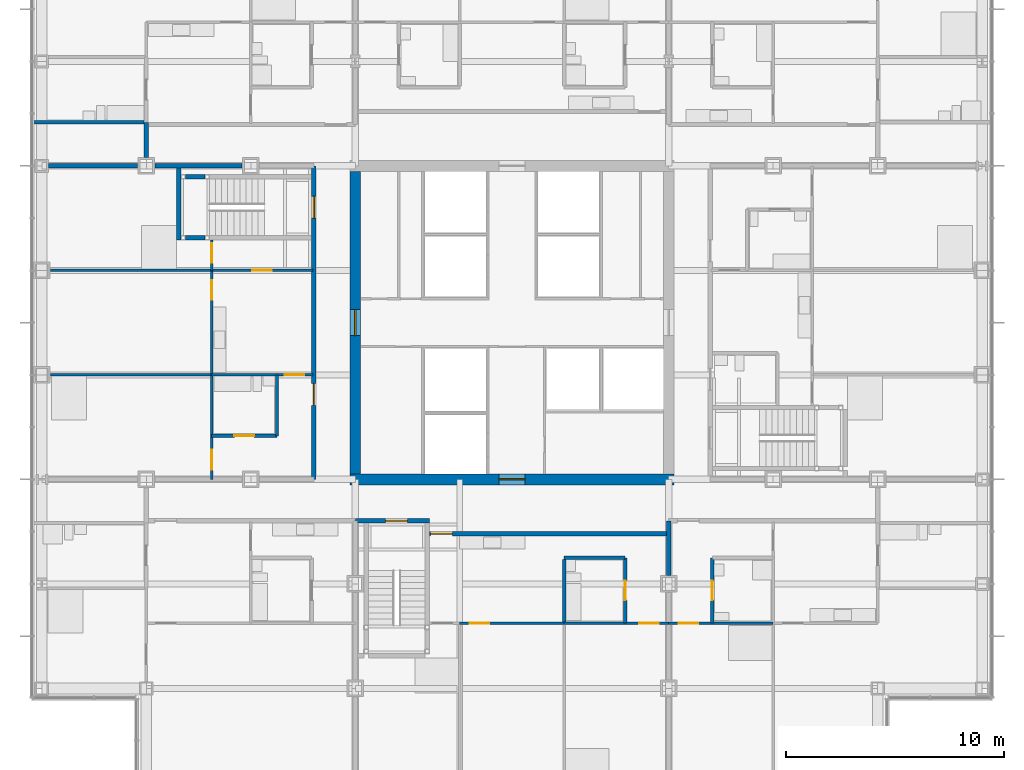
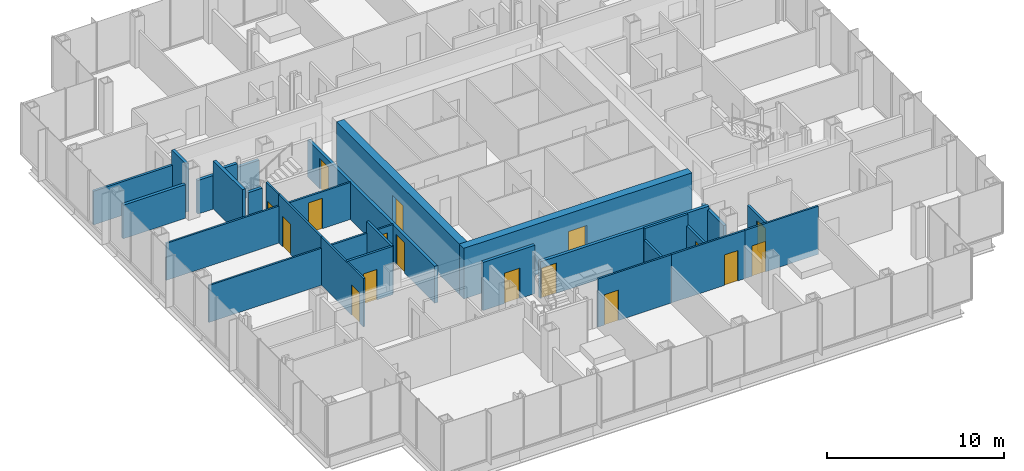
# One storey, part 14 of 21: 29 walls, 17 doors, 17 openings.
"""IFC4 building model written with IfcOpenShell, lengths in metres."""

from ifc_helpers import new_model, si_unit, direction, frame, frame_2d, origin, place, context, subcontext, project, spatial, rectangle, extrude, material, layer, layer_set, type_object, element, fill, save


model = new_model("IFC4")

# Units and contexts
model_context = context("Model", 3, precision=1e-05, world=origin(), true_north=direction((0.0, 1.0)))
body_context = subcontext(model_context, "Body", "Model", "MODEL_VIEW")
ifc_project = project(units=[si_unit("LENGTHUNIT", "METRE"), si_unit("AREAUNIT", "SQUARE_METRE"), si_unit("VOLUMEUNIT", "CUBIC_METRE"), si_unit("PLANEANGLEUNIT", "RADIAN"), si_unit("MASSUNIT", "GRAM", prefix="KILO")], contexts=[model_context])

# Site, building, storey
site_placement = place(None, origin())
site = spatial("IfcSite", under=ifc_project, at=site_placement, CompositionType="ELEMENT")
building_placement = place(site_placement, origin())
building = spatial("IfcBuilding", under=site, at=building_placement, Name="Kvirike Care Tower", CompositionType="ELEMENT")
storey_placement = place(building_placement, frame((0.0, 0.0, 58.5)))
storey = spatial("IfcBuildingStorey", under=building, at=storey_placement, Name="L15", CompositionType="ELEMENT", Elevation=58.5)

# Wall, opening, door
ifc_material_1 = material(Name="Moisture-resistant board partition", Category="gypsum")
ifc_layer_1 = layer(ifc_material_1, 0.14990234375)
ifc_layer_set_1 = layer_set([ifc_layer_1], Name="BATHROOM WALL 150")
wall_type_1 = type_object("IfcWallType", Name="BATHROOM WALL 150", PredefinedType="PARTITIONING", material=ifc_layer_set_1)
wall_1_placement = place(storey_placement, frame((7.800048828125, 30.800048828125, 0.0), z_axis=(0.0, 0.0, 1.0), x_axis=(1.0, 0.0, 0.0)))
wall_1 = element("IfcWall", 1, at=wall_1_placement, inside=storey, type_object=wall_type_1, Name="Bathroom Wall 150 L15", PredefinedType="PARTITIONING", context=body_context, shape_type="SweptSolid", body=[
    extrude(rectangle(XDim=3.0, YDim=0.14990234375, at=frame_2d((1.5, 0.0))), origin(), (0.0, 0.0, 1.0), 3.330078125),
])
opening_1_placement = place(wall_1_placement, frame((1.050048828125, 0.0, 0.0)))
opening_1 = element("IfcOpeningElement", 2, at=opening_1_placement, cuts=wall_1, Name="Opening 15-007", PredefinedType="OPENING", context=body_context, shape_type="SweptSolid", body=[
    extrude(rectangle(XDim=0.89990234375, YDim=2.10009765625, at=frame_2d((0.449951171875, 1.050048828125))), frame((0.0, 0.08544921875, 0.0), z_axis=(0.0, -1.0, 0.0), x_axis=(1.0, 0.0, 0.0)), (0.0, 0.0, 1.0), 0.1708984375),
])
ifc_material_2 = material(Name="Timber door set", Category="wood")
door_type_1 = type_object("IfcDoorType", Name="BATHROOM DOOR 900", OperationType="SINGLE_SWING_RIGHT", PredefinedType="DOOR", material=ifc_material_2)
door_1_placement = place(opening_1_placement, origin())
door_1 = element("IfcDoor", 3, at=door_1_placement, inside=storey, type_object=door_type_1, Name="Bathroom door", OperationType="SINGLE_SWING_RIGHT", OverallHeight=2.10009765625, OverallWidth=0.89990234375, PredefinedType="DOOR", context=body_context, shape_type="SweptSolid", body=[
    extrude(rectangle(XDim=0.89990234375, YDim=2.10009765625, at=frame_2d((0.449951171875, 1.050048828125))), frame((0.0, 0.02197265625, 0.0), z_axis=(0.0, -1.0, 0.0), x_axis=(1.0, 0.0, 0.0)), (0.0, 0.0, 1.0), 0.0439453125),
])
fill(opening_1, door_1)

# Wall
wall_2_placement = place(storey_placement, frame((10.800048828125, 33.60009765625, 0.0), z_axis=(0.0, 0.0, 1.0), x_axis=(0.0, -1.0, 0.0)))
element("IfcWall", 4, at=wall_2_placement, inside=storey, type_object=wall_type_1, Name="Bathroom Wall 150 L15", PredefinedType="PARTITIONING", context=body_context, shape_type="SweptSolid", body=[
    extrude(rectangle(XDim=2.800048828125, YDim=0.14990234375, at=frame_2d((1.39990234375, 0.0))), origin(), (0.0, 0.0, 1.0), 3.330078125),
])

# Wall, opening, door
wall_3_placement = place(storey_placement, frame((26.800048828125, 22.199951171875, 0.0), z_axis=(0.0, 0.0, 1.0), x_axis=(0.0, 1.0, 0.0)))
wall_3 = element("IfcWall", 5, at=wall_3_placement, inside=storey, type_object=wall_type_1, Name="Bathroom Wall 150 L15", PredefinedType="PARTITIONING", context=body_context, shape_type="SweptSolid", body=[
    extrude(rectangle(XDim=3.0, YDim=0.14990234375, at=frame_2d((1.5, 0.0))), origin(), (0.0, 0.0, 1.0), 2.550048828125),
])
opening_2_placement = place(wall_3_placement, frame((1.050048828125, 0.0, 0.0)))
opening_2 = element("IfcOpeningElement", 6, at=opening_2_placement, cuts=wall_3, Name="Opening 15-022", PredefinedType="OPENING", context=body_context, shape_type="SweptSolid", body=[
    extrude(rectangle(XDim=0.89990234375, YDim=2.10009765625, at=frame_2d((0.449951171875, 1.050048828125))), frame((0.0, 0.08544921875, 0.0), z_axis=(0.0, -1.0, 0.0), x_axis=(1.0, 0.0, 0.0)), (0.0, 0.0, 1.0), 0.1708984375),
])
door_2_placement = place(opening_2_placement, origin())
door_2 = element("IfcDoor", 7, at=door_2_placement, inside=storey, type_object=door_type_1, Name="Bathroom door", OperationType="SINGLE_SWING_LEFT", OverallHeight=2.10009765625, OverallWidth=0.89990234375, PredefinedType="DOOR", context=body_context, shape_type="SweptSolid", body=[
    extrude(rectangle(XDim=0.89990234375, YDim=2.10009765625, at=frame_2d((0.449951171875, 1.050048828125))), frame((0.0, 0.02197265625, 0.0), z_axis=(0.0, -1.0, 0.0), x_axis=(1.0, 0.0, 0.0)), (0.0, 0.0, 1.0), 0.0439453125),
])
fill(opening_2, door_2)

# Wall
wall_4_placement = place(storey_placement, frame((24.0, 25.199951171875, 0.0), z_axis=(0.0, 0.0, 1.0), x_axis=(1.0, 0.0, 0.0)))
element("IfcWall", 8, at=wall_4_placement, inside=storey, type_object=wall_type_1, Name="Bathroom Wall 150 L15", PredefinedType="PARTITIONING", context=body_context, shape_type="SweptSolid", body=[
    extrude(rectangle(XDim=2.800048828125, YDim=0.14990234375, at=frame_2d((1.39990234375, 0.0))), origin(), (0.0, 0.0, 1.0), 3.330078125),
])

# Wall, opening, door
wall_5_placement = place(storey_placement, frame((30.800048828125, 22.199951171875, 0.0), z_axis=(0.0, 0.0, 1.0), x_axis=(0.0, 1.0, 0.0)))
wall_5 = element("IfcWall", 9, at=wall_5_placement, inside=storey, type_object=wall_type_1, Name="Bathroom Wall 150 L15", PredefinedType="PARTITIONING", context=body_context, shape_type="SweptSolid", body=[
    extrude(rectangle(XDim=3.0, YDim=0.14990234375, at=frame_2d((1.5, 0.0))), origin(), (0.0, 0.0, 1.0), 2.550048828125),
])
opening_3_placement = place(wall_5_placement, frame((1.050048828125, 0.0, 0.0)))
opening_3 = element("IfcOpeningElement", 10, at=opening_3_placement, cuts=wall_5, Name="Opening 15-033", PredefinedType="OPENING", context=body_context, shape_type="SweptSolid", body=[
    extrude(rectangle(XDim=0.89990234375, YDim=2.10009765625, at=frame_2d((0.449951171875, 1.050048828125))), frame((0.0, 0.08544921875, 0.0), z_axis=(0.0, -1.0, 0.0), x_axis=(1.0, 0.0, 0.0)), (0.0, 0.0, 1.0), 0.1708984375),
])
door_3_placement = place(opening_3_placement, frame((0.89990234375, 0.0, 0.0), z_axis=(0.0, 0.0, 1.0), x_axis=(-1.0, 0.0, 0.0)))
door_3 = element("IfcDoor", 11, at=door_3_placement, inside=storey, type_object=door_type_1, Name="Shower room door", OperationType="SINGLE_SWING_LEFT", OverallHeight=2.10009765625, OverallWidth=0.89990234375, PredefinedType="DOOR", context=body_context, shape_type="SweptSolid", body=[
    extrude(rectangle(XDim=0.89990234375, YDim=2.10009765625, at=frame_2d((0.449951171875, 1.050048828125))), frame((0.0, 0.02197265625, 0.0), z_axis=(0.0, -1.0, 0.0), x_axis=(1.0, 0.0, 0.0)), (0.0, 0.0, 1.0), 0.0439453125),
])
fill(opening_3, door_3)

# Walls
wall_6_placement = place(storey_placement, frame((4.699951171875, 45.199951171875, 0.0), z_axis=(0.0, 0.0, 1.0), x_axis=(-1.0, 0.0, 0.0)))
element("IfcWall", 12, at=wall_6_placement, inside=storey, type_object=wall_type_1, Name="Bathroom Wall 150 L15", PredefinedType="PARTITIONING", context=body_context, shape_type="SweptSolid", body=[
    extrude(rectangle(XDim=5.135009765625, YDim=0.14990234375, at=frame_2d((2.5673828125, 0.0))), origin(), (0.0, 0.0, 1.0), 2.320068359375),
])
wall_7_placement = place(storey_placement, frame((24.0, 22.260009765625, 0.0), z_axis=(0.0, 0.0, 1.0), x_axis=(0.0, 1.0, 0.0)))
element("IfcWall", 13, at=wall_7_placement, inside=storey, type_object=wall_type_1, Name="Bathroom Wall 150 L15", PredefinedType="PARTITIONING", context=body_context, shape_type="SweptSolid", body=[
    extrude(rectangle(XDim=2.864990234375, YDim=0.14990234375, at=frame_2d((1.4326171875, 0.0))), origin(), (0.0, 0.0, 1.0), 2.550048828125),
])

# Wall, opening, door
ifc_material_3 = material(Name="Concrete C60/75", Category="concrete")
ifc_layer_2 = layer(ifc_material_3, 0.5)
ifc_layer_set_2 = layer_set([ifc_layer_2], Name="CORE WALL 500 C60-75")
wall_type_2 = type_object("IfcWallType", Name="CORE WALL 500 C60-75", PredefinedType="SHEAR", material=ifc_layer_set_2)
wall_8_placement = place(storey_placement, frame((14.14990234375, 28.800048828125, -0.169921875), z_axis=(0.0, 0.0, 1.0), x_axis=(1.0, 0.0, 0.0)))
wall_8 = element("IfcWall", 14, at=wall_8_placement, inside=storey, type_object=wall_type_2, Name="Core wall S L15", PredefinedType="SHEAR", context=body_context, shape_type="SweptSolid", body=[
    extrude(rectangle(XDim=14.900146484375, YDim=0.5, at=frame_2d((7.4501953125, 0.0))), origin(), (0.0, 0.0, 1.0), 3.5),
])
opening_4_placement = place(wall_8_placement, frame((6.85009765625, 0.0, 0.169921875)))
opening_4 = element("IfcOpeningElement", 15, at=opening_4_placement, cuts=wall_8, Name="Opening 15-064", PredefinedType="OPENING", context=body_context, shape_type="SweptSolid", body=[
    extrude(rectangle(XDim=1.199951171875, YDim=2.10009765625, at=frame_2d((0.60009765625, 1.050048828125))), frame((0.0, 0.260498046875, 0.0), z_axis=(0.0, -1.0, 0.0), x_axis=(1.0, 0.0, 0.0)), (0.0, 0.0, 1.0), 0.52099609375),
])
ifc_material_4 = material(Name="Timber door set", Category="wood")
door_type_2 = type_object("IfcDoorType", Name="CORE DOOR 1200", OperationType="SINGLE_SWING_LEFT", PredefinedType="DOOR", material=ifc_material_4)
door_4_placement = place(opening_4_placement, origin())
door_4 = element("IfcDoor", 16, at=door_4_placement, inside=storey, type_object=door_type_2, Name="Core door S L15", OperationType="SINGLE_SWING_LEFT", OverallHeight=2.10009765625, OverallWidth=1.199951171875, PredefinedType="DOOR", context=body_context, shape_type="SweptSolid", body=[
    extrude(rectangle(XDim=1.199951171875, YDim=2.10009765625, at=frame_2d((0.60009765625, 1.050048828125))), frame((0.0, 0.02685546875, 0.0), z_axis=(0.0, -1.0, 0.0), x_axis=(1.0, 0.0, 0.0)), (0.0, 0.0, 1.0), 0.053955078125),
])
fill(opening_4, door_4)

wall_9_placement = place(storey_placement, frame((14.39990234375, 42.949951171875, -0.169921875), z_axis=(0.0, 0.0, 1.0), x_axis=(0.0, -1.0, 0.0)))
wall_9 = element("IfcWall", 17, at=wall_9_placement, inside=storey, type_object=wall_type_2, Name="Core wall W L15", PredefinedType="SHEAR", context=body_context, shape_type="SweptSolid", body=[
    extrude(rectangle(XDim=13.89990234375, YDim=0.5, at=frame_2d((6.949951171875, 0.0))), origin(), (0.0, 0.0, 1.0), 3.5),
])
opening_5_placement = place(wall_9_placement, frame((6.35009765625, 0.0, 0.169921875)))
opening_5 = element("IfcOpeningElement", 18, at=opening_5_placement, cuts=wall_9, Name="Opening 15-065", PredefinedType="OPENING", context=body_context, shape_type="SweptSolid", body=[
    extrude(rectangle(XDim=1.199951171875, YDim=2.10009765625, at=frame_2d((0.60009765625, 1.050048828125))), frame((0.0, 0.260498046875, 0.0), z_axis=(0.0, -1.0, 0.0), x_axis=(1.0, 0.0, 0.0)), (0.0, 0.0, 1.0), 0.52099609375),
])
door_5_placement = place(opening_5_placement, origin())
door_5 = element("IfcDoor", 19, at=door_5_placement, inside=storey, type_object=door_type_2, Name="Core door W L15", OperationType="SINGLE_SWING_LEFT", OverallHeight=2.10009765625, OverallWidth=1.199951171875, PredefinedType="DOOR", context=body_context, shape_type="SweptSolid", body=[
    extrude(rectangle(XDim=1.199951171875, YDim=2.10009765625, at=frame_2d((0.60009765625, 1.050048828125))), frame((0.0, 0.02685546875, 0.0), z_axis=(0.0, -1.0, 0.0), x_axis=(1.0, 0.0, 0.0)), (0.0, 0.0, 1.0), 0.053955078125),
])
fill(opening_5, door_5)

# Wall, openings, doors
ifc_material_5 = material(Name="Plasterboard corridor wall", Category="gypsum")
ifc_layer_3 = layer(ifc_material_5, 0.199951171875)
ifc_layer_set_3 = layer_set([ifc_layer_3], Name="CORRIDOR WALL 200")
wall_type_3 = type_object("IfcWallType", Name="CORRIDOR WALL 200", PredefinedType="PARTITIONING", material=ifc_layer_set_3)
wall_10_placement = place(storey_placement, frame((12.5, 43.199951171875, 0.0), z_axis=(0.0, 0.0, 1.0), x_axis=(0.0, -1.0, 0.0)))
wall_10 = element("IfcWall", 20, at=wall_10_placement, inside=storey, type_object=wall_type_3, Name="Corridor Wall 200 L15", PredefinedType="PARTITIONING", context=body_context, shape_type="SweptSolid", body=[
    extrude(rectangle(XDim=14.39990234375, YDim=0.199951171875, at=frame_2d((7.199951171875, 0.0))), origin(), (0.0, 0.0, 1.0), 2.550048828125),
])
opening_6_placement = place(wall_10_placement, frame((1.39990234375, 0.0, 0.0)))
opening_6 = element("IfcOpeningElement", 21, at=opening_6_placement, cuts=wall_10, Name="Opening 15-013", PredefinedType="OPENING", context=body_context, shape_type="SweptSolid", body=[
    extrude(rectangle(XDim=1.0, YDim=2.10009765625, at=frame_2d((0.5, 1.050048828125))), frame((0.0, 0.110595703125, 0.0), z_axis=(0.0, -1.0, 0.0), x_axis=(1.0, 0.0, 0.0)), (0.0, 0.0, 1.0), 0.220947265625),
])
opening_7_placement = place(wall_10_placement, frame((10.0, 0.0, 0.0)))
opening_7 = element("IfcOpeningElement", 22, at=opening_7_placement, cuts=wall_10, Name="Opening 15-014", PredefinedType="OPENING", context=body_context, shape_type="SweptSolid", body=[
    extrude(rectangle(XDim=1.0, YDim=2.10009765625, at=frame_2d((0.5, 1.050048828125))), frame((0.0, 0.110595703125, 0.0), z_axis=(0.0, -1.0, 0.0), x_axis=(1.0, 0.0, 0.0)), (0.0, 0.0, 1.0), 0.220947265625),
])
ifc_material_6 = material(Name="Timber door set", Category="wood")
door_type_3 = type_object("IfcDoorType", Name="FLAT ENTRANCE DOOR 1000", OperationType="SINGLE_SWING_LEFT", PredefinedType="DOOR", material=ifc_material_6)
door_6_placement = place(opening_7_placement, frame((1.0, 0.0, 0.0), z_axis=(0.0, 0.0, 1.0), x_axis=(-1.0, 0.0, 0.0)))
door_6 = element("IfcDoor", 23, at=door_6_placement, inside=storey, type_object=door_type_3, Name="Two-bedroom apartment entrance", OperationType="SINGLE_SWING_LEFT", OverallHeight=2.10009765625, OverallWidth=1.0, PredefinedType="DOOR", context=body_context, shape_type="SweptSolid", body=[
    extrude(rectangle(XDim=1.0, YDim=2.10009765625, at=frame_2d((0.5, 1.050048828125))), frame((0.0, 0.02685546875, 0.0), z_axis=(0.0, -1.0, 0.0), x_axis=(1.0, 0.0, 0.0)), (0.0, 0.0, 1.0), 0.053955078125),
])
fill(opening_7, door_6)
ifc_material_7 = material(Name="Timber door set", Category="wood")
door_type_4 = type_object("IfcDoorType", Name="STAIR DOOR 1000", OperationType="SINGLE_SWING_LEFT", PredefinedType="DOOR", material=ifc_material_7)
door_7_placement = place(opening_6_placement, frame((1.0, 0.0, 0.0), z_axis=(0.0, 0.0, 1.0), x_axis=(-1.0, 0.0, 0.0)))
door_7 = element("IfcDoor", 24, at=door_7_placement, inside=storey, type_object=door_type_4, Name="Stair 1 door", OperationType="SINGLE_SWING_RIGHT", OverallHeight=2.10009765625, OverallWidth=1.0, PredefinedType="DOOR", context=body_context, shape_type="SweptSolid", body=[
    extrude(rectangle(XDim=1.0, YDim=2.10009765625, at=frame_2d((0.5, 1.050048828125))), frame((0.0, 0.031982421875, 0.0), z_axis=(0.0, -1.0, 0.0), x_axis=(1.0, 0.0, 0.0)), (0.0, 0.0, 1.0), 0.06396484375),
])
fill(opening_6, door_7)

# Wall
wall_11_placement = place(storey_placement, frame((4.800048828125, 45.199951171875, 0.0), z_axis=(0.0, 0.0, 1.0), x_axis=(0.0, -1.0, 0.0)))
element("IfcWall", 25, at=wall_11_placement, inside=storey, type_object=wall_type_3, Name="Corridor Wall 200 L15", PredefinedType="PARTITIONING", context=body_context, shape_type="SweptSolid", body=[
    extrude(rectangle(XDim=1.60498046875, YDim=0.199951171875, at=frame_2d((0.802490234375, 0.0))), origin(), (0.0, 0.0, 1.0), 3.330078125),
])

# Wall, opening, door
wall_12_placement = place(storey_placement, frame((17.800048828125, 26.300048828125, 0.0), z_axis=(0.0, 0.0, 1.0), x_axis=(1.0, 0.0, 0.0)))
wall_12 = element("IfcWall", 26, at=wall_12_placement, inside=storey, type_object=wall_type_3, Name="Corridor Wall 200 L15", PredefinedType="PARTITIONING", context=body_context, shape_type="SweptSolid", body=[
    extrude(rectangle(XDim=11.0, YDim=0.199951171875, at=frame_2d((5.5, 0.0))), origin(), (0.0, 0.0, 1.0), 2.550048828125),
])
opening_8_placement = place(wall_12_placement, frame((0.06005859375, 0.0, 0.0)))
opening_8 = element("IfcOpeningElement", 27, at=opening_8_placement, cuts=wall_12, Name="Opening 15-026", PredefinedType="OPENING", context=body_context, shape_type="SweptSolid", body=[
    extrude(rectangle(XDim=1.0, YDim=2.10009765625, at=frame_2d((0.5, 1.050048828125))), frame((0.0, 0.110595703125, 0.0), z_axis=(0.0, -1.0, 0.0), x_axis=(1.0, 0.0, 0.0)), (0.0, 0.0, 1.0), 0.220947265625),
])
door_8_placement = place(opening_8_placement, frame((1.0, 0.0, 0.0), z_axis=(0.0, 0.0, 1.0), x_axis=(-1.0, 0.0, 0.0)))
door_8 = element("IfcDoor", 28, at=door_8_placement, inside=storey, type_object=door_type_3, Name="Two-bedroom apartment entrance", OperationType="SINGLE_SWING_LEFT", OverallHeight=2.10009765625, OverallWidth=1.0, PredefinedType="DOOR", context=body_context, shape_type="SweptSolid", body=[
    extrude(rectangle(XDim=1.0, YDim=2.10009765625, at=frame_2d((0.5, 1.050048828125))), frame((0.0, 0.02685546875, 0.0), z_axis=(0.0, -1.0, 0.0), x_axis=(1.0, 0.0, 0.0)), (0.0, 0.0, 1.0), 0.053955078125),
])
fill(opening_8, door_8)

ifc_material_8 = material(Name="Plasterboard partition", Category="gypsum")
ifc_layer_4 = layer(ifc_material_8, 0.1201171875)
ifc_layer_set_4 = layer_set([ifc_layer_4], Name="PARTITION 120")
wall_type_4 = type_object("IfcWallType", Name="PARTITION 120", PredefinedType="PARTITIONING", material=ifc_layer_set_4)
wall_13_placement = place(storey_placement, frame((7.800048828125, 38.39990234375, 0.0), z_axis=(0.0, 0.0, 1.0), x_axis=(1.0, 0.0, 0.0)))
wall_13 = element("IfcWall", 29, at=wall_13_placement, inside=storey, type_object=wall_type_4, Name="Partition 120 L15", PredefinedType="PARTITIONING", context=body_context, shape_type="SweptSolid", body=[
    extrude(rectangle(XDim=4.64990234375, YDim=0.1201171875, at=frame_2d((2.324951171875, 0.0))), origin(), (0.0, 0.0, 1.0), 2.550048828125),
])
opening_9_placement = place(wall_13_placement, frame((1.875, 0.0, 0.0)))
opening_9 = element("IfcOpeningElement", 30, at=opening_9_placement, cuts=wall_13, Name="Opening 15-008", PredefinedType="OPENING", context=body_context, shape_type="SweptSolid", body=[
    extrude(rectangle(XDim=0.89990234375, YDim=2.10009765625, at=frame_2d((0.449951171875, 1.050048828125))), frame((0.0, 0.070556640625, 0.0), z_axis=(0.0, -1.0, 0.0), x_axis=(1.0, 0.0, 0.0)), (0.0, 0.0, 1.0), 0.14111328125),
])
ifc_material_9 = material(Name="Timber door set", Category="wood")
door_type_5 = type_object("IfcDoorType", Name="INTERNAL DOOR 900", OperationType="SINGLE_SWING_LEFT", PredefinedType="DOOR", material=ifc_material_9)
door_9_placement = place(opening_9_placement, origin())
door_9 = element("IfcDoor", 31, at=door_9_placement, inside=storey, type_object=door_type_5, Name="Hall door", OperationType="SINGLE_SWING_LEFT", OverallHeight=2.10009765625, OverallWidth=0.89990234375, PredefinedType="DOOR", context=body_context, shape_type="SweptSolid", body=[
    extrude(rectangle(XDim=0.89990234375, YDim=2.10009765625, at=frame_2d((0.449951171875, 1.050048828125))), frame((0.0, 0.02197265625, 0.0), z_axis=(0.0, -1.0, 0.0), x_axis=(1.0, 0.0, 0.0)), (0.0, 0.0, 1.0), 0.0439453125),
])
fill(opening_9, door_9)

wall_14_placement = place(storey_placement, frame((7.800048828125, 33.60009765625, 0.0), z_axis=(0.0, 0.0, 1.0), x_axis=(1.0, 0.0, 0.0)))
wall_14 = element("IfcWall", 32, at=wall_14_placement, inside=storey, type_object=wall_type_4, Name="Partition 120 L15", PredefinedType="PARTITIONING", context=body_context, shape_type="SweptSolid", body=[
    extrude(rectangle(XDim=4.64990234375, YDim=0.1201171875, at=frame_2d((2.324951171875, 0.0))), origin(), (0.0, 0.0, 1.0), 2.550048828125),
])
opening_10_placement = place(wall_14_placement, frame((3.35009765625, 0.0, 0.0)))
opening_10 = element("IfcOpeningElement", 33, at=opening_10_placement, cuts=wall_14, Name="Opening 15-009", PredefinedType="OPENING", context=body_context, shape_type="SweptSolid", body=[
    extrude(rectangle(XDim=0.89990234375, YDim=2.10009765625, at=frame_2d((0.449951171875, 1.050048828125))), frame((0.0, 0.070556640625, 0.0), z_axis=(0.0, -1.0, 0.0), x_axis=(1.0, 0.0, 0.0)), (0.0, 0.0, 1.0), 0.14111328125),
])
door_10_placement = place(opening_10_placement, origin())
door_10 = element("IfcDoor", 34, at=door_10_placement, inside=storey, type_object=door_type_5, Name="Hall door", OperationType="SINGLE_SWING_LEFT", OverallHeight=2.10009765625, OverallWidth=0.89990234375, PredefinedType="DOOR", context=body_context, shape_type="SweptSolid", body=[
    extrude(rectangle(XDim=0.89990234375, YDim=2.10009765625, at=frame_2d((0.449951171875, 1.050048828125))), frame((0.0, 0.02197265625, 0.0), z_axis=(0.0, -1.0, 0.0), x_axis=(1.0, 0.0, 0.0)), (0.0, 0.0, 1.0), 0.0439453125),
])
fill(opening_10, door_10)

wall_15_placement = place(storey_placement, frame((7.800048828125, 39.800048828125, 0.0), z_axis=(0.0, 0.0, 1.0), x_axis=(0.0, -1.0, 0.0)))
wall_15 = element("IfcWall", 35, at=wall_15_placement, inside=storey, type_object=wall_type_4, Name="Partition 120 L15", PredefinedType="PARTITIONING", context=body_context, shape_type="SweptSolid", body=[
    extrude(rectangle(XDim=1.400146484375, YDim=0.1201171875, at=frame_2d((0.7001953125, 0.0))), origin(), (0.0, 0.0, 1.0), 3.330078125),
])
opening_11_placement = place(wall_15_placement, frame((0.14990234375, 0.0, 0.0)))
opening_11 = element("IfcOpeningElement", 36, at=opening_11_placement, cuts=wall_15, Name="Opening 15-010", PredefinedType="OPENING", context=body_context, shape_type="SweptSolid", body=[
    extrude(rectangle(XDim=0.89990234375, YDim=2.10009765625, at=frame_2d((0.449951171875, 1.050048828125))), frame((0.0, 0.070556640625, 0.0), z_axis=(0.0, -1.0, 0.0), x_axis=(1.0, 0.0, 0.0)), (0.0, 0.0, 1.0), 0.14111328125),
])
door_11_placement = place(opening_11_placement, origin())
door_11 = element("IfcDoor", 37, at=door_11_placement, inside=storey, type_object=door_type_5, Name="Apartment bedroom door", OperationType="SINGLE_SWING_RIGHT", OverallHeight=2.10009765625, OverallWidth=0.89990234375, PredefinedType="DOOR", context=body_context, shape_type="SweptSolid", body=[
    extrude(rectangle(XDim=0.89990234375, YDim=2.10009765625, at=frame_2d((0.449951171875, 1.050048828125))), frame((0.0, 0.02197265625, 0.0), z_axis=(0.0, -1.0, 0.0), x_axis=(1.0, 0.0, 0.0)), (0.0, 0.0, 1.0), 0.0439453125),
])
fill(opening_11, door_11)

wall_16_placement = place(storey_placement, frame((7.800048828125, 38.39990234375, 0.0), z_axis=(0.0, 0.0, 1.0), x_axis=(0.0, -1.0, 0.0)))
wall_16 = element("IfcWall", 38, at=wall_16_placement, inside=storey, type_object=wall_type_4, Name="Partition 120 L15", PredefinedType="PARTITIONING", context=body_context, shape_type="SweptSolid", body=[
    extrude(rectangle(XDim=4.7998046875, YDim=0.1201171875, at=frame_2d((2.39990234375, 0.0))), origin(), (0.0, 0.0, 1.0), 3.330078125),
])
opening_12_placement = place(wall_16_placement, frame((0.449951171875, 0.0, 0.0)))
opening_12 = element("IfcOpeningElement", 39, at=opening_12_placement, cuts=wall_16, Name="Opening 15-011", PredefinedType="OPENING", context=body_context, shape_type="SweptSolid", body=[
    extrude(rectangle(XDim=0.89990234375, YDim=2.10009765625, at=frame_2d((0.449951171875, 1.050048828125))), frame((0.0, 0.070556640625, 0.0), z_axis=(0.0, -1.0, 0.0), x_axis=(1.0, 0.0, 0.0)), (0.0, 0.0, 1.0), 0.14111328125),
])
door_12_placement = place(opening_12_placement, origin())
door_12 = element("IfcDoor", 40, at=door_12_placement, inside=storey, type_object=door_type_5, Name="Apartment living room door", OperationType="SINGLE_SWING_RIGHT", OverallHeight=2.10009765625, OverallWidth=0.89990234375, PredefinedType="DOOR", context=body_context, shape_type="SweptSolid", body=[
    extrude(rectangle(XDim=0.89990234375, YDim=2.10009765625, at=frame_2d((0.449951171875, 1.050048828125))), frame((0.0, 0.02197265625, 0.0), z_axis=(0.0, -1.0, 0.0), x_axis=(1.0, 0.0, 0.0)), (0.0, 0.0, 1.0), 0.0439453125),
])
fill(opening_12, door_12)

wall_17_placement = place(storey_placement, frame((7.800048828125, 33.60009765625, 0.0), z_axis=(0.0, 0.0, 1.0), x_axis=(0.0, -1.0, 0.0)))
wall_17 = element("IfcWall", 41, at=wall_17_placement, inside=storey, type_object=wall_type_4, Name="Partition 120 L15", PredefinedType="PARTITIONING", context=body_context, shape_type="SweptSolid", body=[
    extrude(rectangle(XDim=4.800048828125, YDim=0.1201171875, at=frame_2d((2.39990234375, 0.0))), origin(), (0.0, 0.0, 1.0), 3.330078125),
])
opening_13_placement = place(wall_17_placement, frame((3.449951171875, 0.0, 0.0)))
opening_13 = element("IfcOpeningElement", 42, at=opening_13_placement, cuts=wall_17, Name="Opening 15-012", PredefinedType="OPENING", context=body_context, shape_type="SweptSolid", body=[
    extrude(rectangle(XDim=0.89990234375, YDim=2.10009765625, at=frame_2d((0.449951171875, 1.050048828125))), frame((0.0, 0.070556640625, 0.0), z_axis=(0.0, -1.0, 0.0), x_axis=(1.0, 0.0, 0.0)), (0.0, 0.0, 1.0), 0.14111328125),
])
door_13_placement = place(opening_13_placement, origin())
door_13 = element("IfcDoor", 43, at=door_13_placement, inside=storey, type_object=door_type_5, Name="Apartment bedroom door", OperationType="SINGLE_SWING_LEFT", OverallHeight=2.10009765625, OverallWidth=0.89990234375, PredefinedType="DOOR", context=body_context, shape_type="SweptSolid", body=[
    extrude(rectangle(XDim=0.89990234375, YDim=2.10009765625, at=frame_2d((0.449951171875, 1.050048828125))), frame((0.0, 0.02197265625, 0.0), z_axis=(0.0, -1.0, 0.0), x_axis=(1.0, 0.0, 0.0)), (0.0, 0.0, 1.0), 0.0439453125),
])
fill(opening_13, door_13)

# Walls
for number, where, z_axis, x_axis, name in (
    (44, (0.39501953125, 38.39990234375, 0.0), (0.0, 0.0, 1.0), (1.0, 0.0, 0.0), "Partition 120 L15"),
    (45, (0.39501953125, 33.60009765625, 0.0), (0.0, 0.0, 1.0), (1.0, 0.0, 0.0), "Partition 120 L15"),
):
    element("IfcWall", number, at=place(storey_placement, frame(where, z_axis=z_axis, x_axis=x_axis)), inside=storey, type_object=wall_type_4, Name=name, PredefinedType="PARTITIONING", context=body_context, shape_type="SweptSolid", body=[
        extrude(rectangle(XDim=7.405029296875, YDim=0.1201171875, at=frame_2d((3.70263671875, 0.0))), origin(), (0.0, 0.0, 1.0), 2.550048828125),
    ])

# Wall, opening, door
wall_18_placement = place(storey_placement, frame((19.199951171875, 22.199951171875, 0.0), z_axis=(0.0, 0.0, 1.0), x_axis=(1.0, 0.0, 0.0)))
wall_18 = element("IfcWall", 46, at=wall_18_placement, inside=storey, type_object=wall_type_4, Name="Partition 120 L15", PredefinedType="PARTITIONING", context=body_context, shape_type="SweptSolid", body=[
    extrude(rectangle(XDim=4.800048828125, YDim=0.1201171875, at=frame_2d((2.39990234375, 0.0))), origin(), (0.0, 0.0, 1.0), 3.330078125),
])
opening_14_placement = place(wall_18_placement, frame((0.449951171875, 0.0, 0.0)))
opening_14 = element("IfcOpeningElement", 47, at=opening_14_placement, cuts=wall_18, Name="Opening 15-024", PredefinedType="OPENING", context=body_context, shape_type="SweptSolid", body=[
    extrude(rectangle(XDim=0.89990234375, YDim=2.10009765625, at=frame_2d((0.449951171875, 1.050048828125))), frame((0.0, 0.070556640625, 0.0), z_axis=(0.0, -1.0, 0.0), x_axis=(1.0, 0.0, 0.0)), (0.0, 0.0, 1.0), 0.14111328125),
])
door_14_placement = place(opening_14_placement, origin())
door_14 = element("IfcDoor", 48, at=door_14_placement, inside=storey, type_object=door_type_5, Name="Apartment living room door", OperationType="SINGLE_SWING_RIGHT", OverallHeight=2.10009765625, OverallWidth=0.89990234375, PredefinedType="DOOR", context=body_context, shape_type="SweptSolid", body=[
    extrude(rectangle(XDim=0.89990234375, YDim=2.10009765625, at=frame_2d((0.449951171875, 1.050048828125))), frame((0.0, 0.02197265625, 0.0), z_axis=(0.0, -1.0, 0.0), x_axis=(1.0, 0.0, 0.0)), (0.0, 0.0, 1.0), 0.0439453125),
])
fill(opening_14, door_14)

wall_19_placement = place(storey_placement, frame((24.0, 22.199951171875, 0.0), z_axis=(0.0, 0.0, 1.0), x_axis=(1.0, 0.0, 0.0)))
wall_19 = element("IfcWall", 49, at=wall_19_placement, inside=storey, type_object=wall_type_4, Name="Partition 120 L15", PredefinedType="PARTITIONING", context=body_context, shape_type="SweptSolid", body=[
    extrude(rectangle(XDim=4.800048828125, YDim=0.1201171875, at=frame_2d((2.39990234375, 0.0))), origin(), (0.0, 0.0, 1.0), 3.330078125),
])
opening_15_placement = place(wall_19_placement, frame((3.449951171875, 0.0, 0.0)))
opening_15 = element("IfcOpeningElement", 50, at=opening_15_placement, cuts=wall_19, Name="Opening 15-025", PredefinedType="OPENING", context=body_context, shape_type="SweptSolid", body=[
    extrude(rectangle(XDim=0.89990234375, YDim=2.10009765625, at=frame_2d((0.449951171875, 1.050048828125))), frame((0.0, 0.070556640625, 0.0), z_axis=(0.0, -1.0, 0.0), x_axis=(1.0, 0.0, 0.0)), (0.0, 0.0, 1.0), 0.14111328125),
])
door_15_placement = place(opening_15_placement, origin())
door_15 = element("IfcDoor", 51, at=door_15_placement, inside=storey, type_object=door_type_5, Name="Apartment bedroom door", OperationType="SINGLE_SWING_LEFT", OverallHeight=2.10009765625, OverallWidth=0.89990234375, PredefinedType="DOOR", context=body_context, shape_type="SweptSolid", body=[
    extrude(rectangle(XDim=0.89990234375, YDim=2.10009765625, at=frame_2d((0.449951171875, 1.050048828125))), frame((0.0, 0.02197265625, 0.0), z_axis=(0.0, -1.0, 0.0), x_axis=(1.0, 0.0, 0.0)), (0.0, 0.0, 1.0), 0.0439453125),
])
fill(opening_15, door_15)

wall_20_placement = place(storey_placement, frame((28.800048828125, 22.199951171875, 0.0), z_axis=(0.0, 0.0, 1.0), x_axis=(1.0, 0.0, 0.0)))
wall_20 = element("IfcWall", 52, at=wall_20_placement, inside=storey, type_object=wall_type_4, Name="Partition 120 L15", PredefinedType="PARTITIONING", context=body_context, shape_type="SweptSolid", body=[
    extrude(rectangle(XDim=4.800048828125, YDim=0.1201171875, at=frame_2d((2.39990234375, 0.0))), origin(), (0.0, 0.0, 1.0), 3.330078125),
])
opening_16_placement = place(wall_20_placement, frame((0.449951171875, 0.0, 0.0)))
opening_16 = element("IfcOpeningElement", 53, at=opening_16_placement, cuts=wall_20, Name="Opening 15-036", PredefinedType="OPENING", context=body_context, shape_type="SweptSolid", body=[
    extrude(rectangle(XDim=0.89990234375, YDim=2.10009765625, at=frame_2d((0.449951171875, 1.050048828125))), frame((0.0, 0.070556640625, 0.0), z_axis=(0.0, -1.0, 0.0), x_axis=(1.0, 0.0, 0.0)), (0.0, 0.0, 1.0), 0.14111328125),
])
door_16_placement = place(opening_16_placement, origin())
door_16 = element("IfcDoor", 54, at=door_16_placement, inside=storey, type_object=door_type_5, Name="Apartment bedroom door", OperationType="SINGLE_SWING_RIGHT", OverallHeight=2.10009765625, OverallWidth=0.89990234375, PredefinedType="DOOR", context=body_context, shape_type="SweptSolid", body=[
    extrude(rectangle(XDim=0.89990234375, YDim=2.10009765625, at=frame_2d((0.449951171875, 1.050048828125))), frame((0.0, 0.02197265625, 0.0), z_axis=(0.0, -1.0, 0.0), x_axis=(1.0, 0.0, 0.0)), (0.0, 0.0, 1.0), 0.0439453125),
])
fill(opening_16, door_16)

# Walls
ifc_material_10 = material(Name="Plasterboard party wall", Category="gypsum")
ifc_layer_5 = layer(ifc_material_10, 0.199951171875)
ifc_layer_set_5 = layer_set([ifc_layer_5], Name="PARTY WALL 200")
wall_type_5 = type_object("IfcWallType", Name="PARTY WALL 200", PredefinedType="PARTITIONING", material=ifc_layer_set_5)
wall_21_placement = place(storey_placement, frame((9.205078125, 43.199951171875, 0.0), z_axis=(0.0, 0.0, 1.0), x_axis=(-1.0, 0.0, 0.0)))
element("IfcWall", 55, at=wall_21_placement, inside=storey, type_object=wall_type_5, Name="Party Wall 200 L15", PredefinedType="PARTITIONING", context=body_context, shape_type="SweptSolid", body=[
    extrude(rectangle(XDim=4.010009765625, YDim=0.199951171875, at=frame_2d((2.0048828125, 0.0))), origin(), (0.0, 0.0, 1.0), 2.320068359375),
])
wall_22_placement = place(storey_placement, frame((4.405029296875, 43.199951171875, 0.0), z_axis=(0.0, 0.0, 1.0), x_axis=(-1.0, 0.0, 0.0)))
element("IfcWall", 56, at=wall_22_placement, inside=storey, type_object=wall_type_5, Name="Party Wall 200 L15", PredefinedType="PARTITIONING", context=body_context, shape_type="SweptSolid", body=[
    extrude(rectangle(XDim=4.0849609375, YDim=0.199951171875, at=frame_2d((2.04248046875, 0.0))), origin(), (0.0, 0.0, 1.0), 2.320068359375),
])
wall_23_placement = place(storey_placement, frame((28.800048828125, 24.39501953125, 0.0), z_axis=(0.0, 0.0, 1.0), x_axis=(0.0, 1.0, 0.0)))
element("IfcWall", 57, at=wall_23_placement, inside=storey, type_object=wall_type_5, Name="Party Wall 200 L15", PredefinedType="PARTITIONING", context=body_context, shape_type="SweptSolid", body=[
    extrude(rectangle(XDim=2.5048828125, YDim=0.199951171875, at=frame_2d((1.25244140625, 0.0))), origin(), (0.0, 0.0, 1.0), 2.320068359375),
])
ifc_material_11 = material(Name="Concrete C40/50", Category="concrete")
ifc_layer_6 = layer(ifc_material_11, 0.199951171875)
ifc_layer_set_6 = layer_set([ifc_layer_6], Name="STAIR WALL 200")
wall_type_6 = type_object("IfcWallType", Name="STAIR WALL 200", PredefinedType="SOLIDWALL", material=ifc_layer_set_6)
for number, where, z_axis, x_axis, name in (
    (58, (6.60009765625, 42.699951171875, 0.0), (0.0, 0.0, 1.0), (1.0, 0.0, 0.0), "Stair Wall 200 L15"),
    (59, (6.60009765625, 39.89990234375, 0.0), (0.0, 0.0, 1.0), (1.0, 0.0, 0.0), "Stair Wall 200 L15"),
):
    element("IfcWall", number, at=place(storey_placement, frame(where, z_axis=z_axis, x_axis=x_axis)), inside=storey, type_object=wall_type_6, Name=name, PredefinedType="SOLIDWALL", context=body_context, shape_type="SweptSolid", body=[
        extrude(rectangle(XDim=0.89990234375, YDim=0.199951171875, at=frame_2d((0.449951171875, 0.0))), origin(), (0.0, 0.0, 1.0), 2.989990234375),
    ])
wall_24_placement = place(storey_placement, frame((6.300048828125, 43.10009765625, 0.0), z_axis=(0.0, 0.0, 1.0), x_axis=(0.0, -1.0, 0.0)))
element("IfcWall", 60, at=wall_24_placement, inside=storey, type_object=wall_type_6, Name="Stair Wall 200 L15", PredefinedType="SOLIDWALL", context=body_context, shape_type="SweptSolid", body=[
    extrude(rectangle(XDim=3.300048828125, YDim=0.199951171875, at=frame_2d((1.64990234375, 0.0))), origin(), (0.0, 0.0, 1.0), 3.330078125),
])

# Wall, opening, door
wall_25_placement = place(storey_placement, frame((14.39990234375, 26.89990234375, 0.0), z_axis=(0.0, 0.0, 1.0), x_axis=(1.0, 0.0, 0.0)))
wall_25 = element("IfcWall", 61, at=wall_25_placement, inside=storey, type_object=wall_type_6, Name="Stair Wall 200 L15", PredefinedType="SOLIDWALL", context=body_context, shape_type="SweptSolid", body=[
    extrude(rectangle(XDim=3.400146484375, YDim=0.199951171875, at=frame_2d((1.7001953125, 0.0))), origin(), (0.0, 0.0, 1.0), 3.330078125),
])
opening_17_placement = place(wall_25_placement, frame((1.39990234375, 0.0, 0.0)))
opening_17 = element("IfcOpeningElement", 62, at=opening_17_placement, cuts=wall_25, Name="Opening 15-021", PredefinedType="OPENING", context=body_context, shape_type="SweptSolid", body=[
    extrude(rectangle(XDim=1.0, YDim=2.10009765625, at=frame_2d((0.5, 1.050048828125))), frame((0.0, 0.110595703125, 0.0), z_axis=(0.0, -1.0, 0.0), x_axis=(1.0, 0.0, 0.0)), (0.0, 0.0, 1.0), 0.220947265625),
])
door_17_placement = place(opening_17_placement, frame((1.0, 0.0, 0.0), z_axis=(0.0, 0.0, 1.0), x_axis=(-1.0, 0.0, 0.0)))
door_17 = element("IfcDoor", 63, at=door_17_placement, inside=storey, type_object=door_type_4, Name="Stair 5 door", OperationType="SINGLE_SWING_LEFT", OverallHeight=2.10009765625, OverallWidth=1.0, PredefinedType="DOOR", context=body_context, shape_type="SweptSolid", body=[
    extrude(rectangle(XDim=1.0, YDim=2.10009765625, at=frame_2d((0.5, 1.050048828125))), frame((0.0, 0.031982421875, 0.0), z_axis=(0.0, -1.0, 0.0), x_axis=(1.0, 0.0, 0.0)), (0.0, 0.0, 1.0), 0.06396484375),
])
fill(opening_17, door_17)

save(model, "model.ifc")
